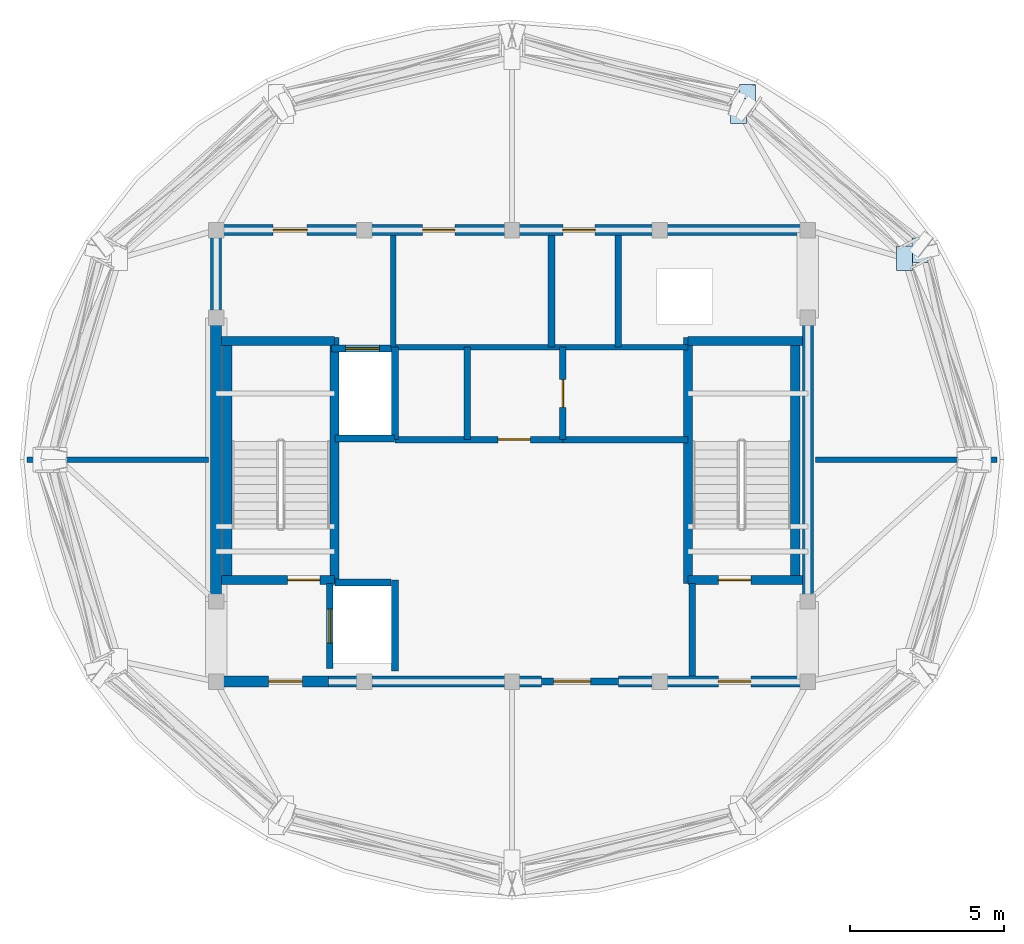
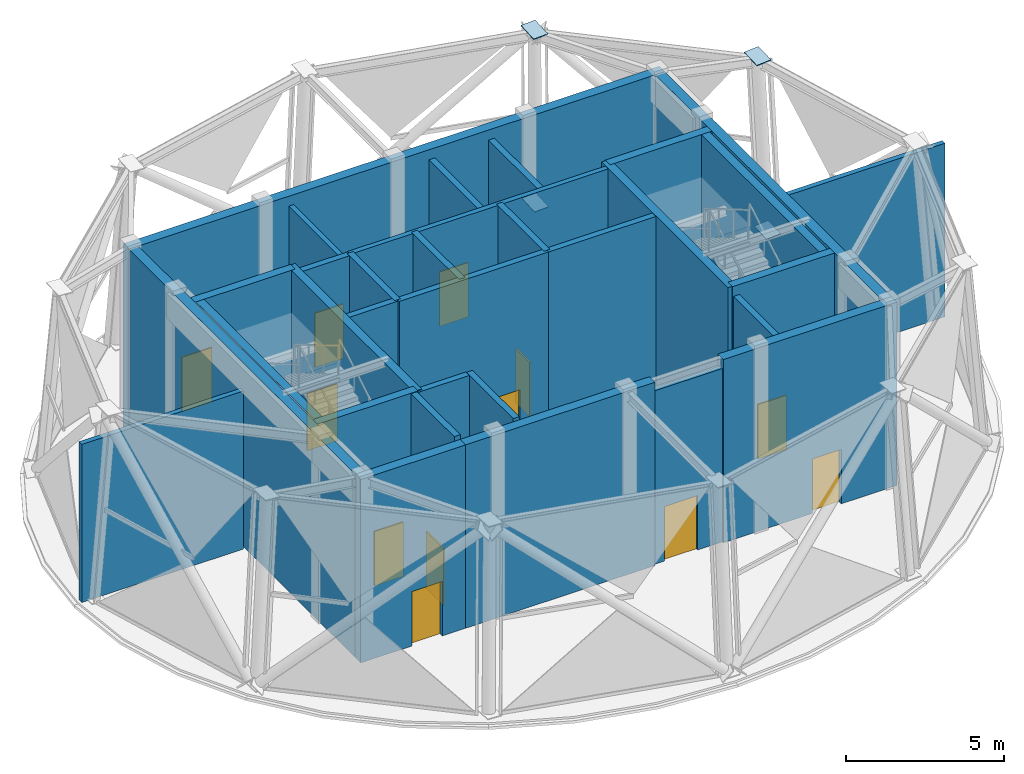
# One storey, part 5 of 8: 32 walls, 12 doors, 4 plates, 12 openings.
"""IFC4 building model written with IfcOpenShell, lengths in metres."""

from ifc_helpers import new_model, si_unit, direction, frame, frame_2d, origin, place, context, subcontext, project, spatial, polyline, rectangle, outline, extrude, material, layer, layer_set, type_object, element, fill, save


model = new_model("IFC4")

# Units and contexts
model_context = context("Model", 3, precision=1e-05, world=origin(), true_north=direction((0.0, 1.0)))
body_context = subcontext(model_context, "Body", "Model", "MODEL_VIEW")
ifc_project = project(units=[si_unit("LENGTHUNIT", "METRE"), si_unit("AREAUNIT", "SQUARE_METRE"), si_unit("VOLUMEUNIT", "CUBIC_METRE"), si_unit("PLANEANGLEUNIT", "RADIAN"), si_unit("MASSUNIT", "GRAM", prefix="KILO")], contexts=[model_context])

# Site, building, storey
site_placement = place(None, origin())
site = spatial("IfcSite", under=ifc_project, at=site_placement, CompositionType="ELEMENT")
building_placement = place(site_placement, origin())
building = spatial("IfcBuilding", under=site, at=building_placement, Name="Vantalir Tower", CompositionType="ELEMENT")
storey_placement = place(building_placement, frame((0.0, 0.0, 326.25)))
storey = spatial("IfcBuildingStorey", under=building, at=storey_placement, Name="L79", CompositionType="ELEMENT", Elevation=326.25)

# Plates
ifc_material_1 = material(Name="Steel S460", Category="steel")
ifc_layer_1 = layer(ifc_material_1, 0.031982421875)
ifc_layer_set_1 = layer_set([ifc_layer_1], Name="Steel S460")
plate_type = type_object("IfcPlateType", Name="PLT-KN-Z3", PredefinedType="USERDEFINED", material=ifc_layer_set_1)
plate_1_placement = place(storey_placement, frame((43.969970703125, 31.9326171875, 7.090087890625), z_axis=(-0.071669087608, -0.036978395719, 0.996742765277), x_axis=(1.0898769e-05, -0.999312561861, -0.037072949554)))
element("IfcPlate", 1, at=plate_1_placement, inside=storey, type_object=plate_type, Name="L79 Ring Column Top Cap RC02", ObjectType="FLANGE_PLATE", PredefinedType="USERDEFINED", context=body_context, shape_type="SweptSolid", body=[
    extrude(outline(polyline([(0.0, 0.0), (0.8001060710424334, 8.673617379884035e-19), (0.800199805423521, 0.5198828635548058), (8.468336801295941e-05, 0.5199003489607049), (0.0, 0.0)])), origin(), (0.0, 0.0, -1.0), 0.031982421875),
])
plate_2_placement = place(storey_placement, frame((44.476806640625, 32.193359375, 0.049072265625), z_axis=(-0.071626877496, -0.036984146802, 0.996745586048), x_axis=(-1.129986e-05, -0.99931229299, -0.037080196227)))
element("IfcPlate", 2, at=plate_2_placement, inside=storey, type_object=plate_type, Name="L79 Ring Column Base Cap RC02", ObjectType="FLANGE_PLATE", PredefinedType="USERDEFINED", context=body_context, shape_type="SweptSolid", body=[
    extrude(outline(polyline([(0.0, 0.0), (0.7998711501922752, 4.336808689942018e-19), (0.799944048515855, 0.5201438586805849), (-0.00016202162191883982, 0.5201257326056257), (0.0, 0.0)])), origin(), (0.0, 0.0, -1.0), 0.031982421875),
])
plate_3_placement = place(storey_placement, frame((38.59033203125, 36.71435546875, 7.10888671875), z_axis=(-0.041413511093, -0.064033180532, 0.997088096855), x_axis=(0.0, -0.997944240657, -0.064088162244)))
element("IfcPlate", 3, at=plate_3_placement, inside=storey, type_object=plate_type, Name="L79 Ring Column Top Cap RC03", ObjectType="FLANGE_PLATE", PredefinedType="USERDEFINED", context=body_context, shape_type="SweptSolid", body=[
    extrude(outline(polyline([(0.0, 0.0), (0.7999844191941299, 4.336808689942018e-19), (0.8000693574671932, 0.5199773424375382), (8.493827306336088e-05, 0.5199773424375382), (0.0, 0.0)])), origin(), (0.0, 0.0, -1.0), 0.031982421875),
])
plate_4_placement = place(storey_placement, frame((38.882080078125, 37.16650390625, 0.06787109375), z_axis=(-0.040945744704, -0.064034416075, 0.997107336022), x_axis=(0.0, -0.997944240657, -0.064088162244)))
element("IfcPlate", 4, at=plate_4_placement, inside=storey, type_object=plate_type, Name="L79 Ring Column Base Cap RC03", ObjectType="FLANGE_PLATE", PredefinedType="USERDEFINED", context=body_context, shape_type="SweptSolid", body=[
    extrude(outline(polyline([(0.0, 0.0), (0.7999844191941299, 4.336808689942018e-19), (0.8000850039911785, 0.5199673094847195), (0.00010058479704871687, 0.5199673094847194), (0.0, 0.0)])), origin(), (0.0, 0.0, -1.0), 0.031982421875),
])

# Wall, opening, door
ifc_material_2 = material(Name="Concrete C50/60", Category="concrete")
ifc_layer_2 = layer(ifc_material_2, 0.35009765625)
ifc_layer_set_2 = layer_set([ifc_layer_2], Name="Concrete C50/60")
wall_type_1 = type_object("IfcWallType", Name="WL-CORE-350", PredefinedType="SHEAR", material=ifc_layer_set_2)
wall_1_placement = place(storey_placement, frame((21.72509765625, 17.800048828125, 0.0), z_axis=(0.0, 0.0, 1.0), x_axis=(1.0, 0.0, 0.0)))
wall_1 = element("IfcWall", 5, at=wall_1_placement, inside=storey, type_object=wall_type_1, Name="L79 Core Shear Wall South-West", PredefinedType="SHEAR", context=body_context, shape_type="SweptSolid", body=[
    extrude(rectangle(XDim=3.824951171875, YDim=0.35009765625, at=frame_2d((1.91259765625, 0.0))), origin(), (0.0, 0.0, 1.0), 7.070068359375),
])
opening_1_placement = place(wall_1_placement, frame((1.875, 0.0, 0.0)))
opening_1 = element("IfcOpeningElement", 6, at=opening_1_placement, cuts=wall_1, Name="Opening D-FFL", PredefinedType="OPENING", context=body_context, shape_type="SweptSolid", body=[
    extrude(rectangle(XDim=1.10009765625, YDim=2.10009765625, at=frame_2d((0.550048828125, 1.050048828125))), frame((0.0, 0.18505859375, 0.0), z_axis=(0.0, -1.0, 0.0), x_axis=(1.0, 0.0, 0.0)), (0.0, 0.0, 1.0), 0.3701171875),
])
ifc_material_3 = material(Name="Fire-rated acoustic steel door", Category="steel")
door_type_1 = type_object("IfcDoorType", Name="DR-FIRE-LOBBY-1100", OperationType="NOTDEFINED", PredefinedType="DOOR", material=ifc_material_3)
door_1_placement = place(opening_1_placement, origin())
door_1 = element("IfcDoor", 7, at=door_1_placement, inside=storey, type_object=door_type_1, Name="L79 Firefighting Lobby West Access Door", OperationType="SINGLE_SWING_RIGHT", OverallHeight=2.10009765625, OverallWidth=1.10009765625, PredefinedType="DOOR", context=body_context, shape_type="SweptSolid", body=[
    extrude(rectangle(XDim=1.10009765625, YDim=2.10009765625, at=frame_2d((0.550048828125, 1.050048828125))), frame((0.0, 0.02490234375, 0.0), z_axis=(0.0, -1.0, 0.0), x_axis=(1.0, 0.0, 0.0)), (0.0, 0.0, 1.0), 0.050048828125),
])
fill(opening_1, door_1)

# Wall
wall_2_placement = place(storey_placement, frame((25.550048828125, 17.800048828125, 0.0), z_axis=(0.0, 0.0, 1.0), x_axis=(1.0, 0.0, 0.0)))
element("IfcWall", 8, at=wall_2_placement, inside=storey, type_object=wall_type_1, Name="L79 Core Shear Wall South-Mid", PredefinedType="SHEAR", context=body_context, shape_type="SweptSolid", body=[
    extrude(rectangle(XDim=6.89990234375, YDim=0.35009765625, at=frame_2d((3.449951171875, 0.0))), origin(), (0.0, 0.0, 1.0), 7.070068359375),
])

# Wall, opening, door
wall_3_placement = place(storey_placement, frame((34.949951171875, 17.800048828125, 0.0), z_axis=(0.0, 0.0, 1.0), x_axis=(1.0, 0.0, 0.0)))
wall_3 = element("IfcWall", 9, at=wall_3_placement, inside=storey, type_object=wall_type_1, Name="L79 Core Shear Wall South-East", PredefinedType="SHEAR", context=body_context, shape_type="SweptSolid", body=[
    extrude(rectangle(XDim=6.324951171875, YDim=0.35009765625, at=frame_2d((3.16259765625, 0.0))), origin(), (0.0, 0.0, 1.0), 7.070068359375),
])
opening_2_placement = place(wall_3_placement, frame((3.25, 0.0, 0.0)))
opening_2 = element("IfcOpeningElement", 10, at=opening_2_placement, cuts=wall_3, Name="Opening D-ST", PredefinedType="OPENING", context=body_context, shape_type="SweptSolid", body=[
    extrude(rectangle(XDim=1.050048828125, YDim=2.10009765625, at=frame_2d((0.52490234375, 1.050048828125))), frame((0.0, 0.18505859375, 0.0), z_axis=(0.0, -1.0, 0.0), x_axis=(1.0, 0.0, 0.0)), (0.0, 0.0, 1.0), 0.3701171875),
])
ifc_material_4 = material(Name="Fire-rated steel door leaf", Category="steel")
door_type_2 = type_object("IfcDoorType", Name="DR-FIRE-STAIR-1050", OperationType="NOTDEFINED", PredefinedType="DOOR", material=ifc_material_4)
door_2_placement = place(opening_2_placement, origin())
door_2 = element("IfcDoor", 11, at=door_2_placement, inside=storey, type_object=door_type_2, Name="L79 Stair ST2 Exit Lobby Door", OperationType="SINGLE_SWING_RIGHT", OverallHeight=2.10009765625, OverallWidth=1.050048828125, PredefinedType="DOOR", context=body_context, shape_type="SweptSolid", body=[
    extrude(rectangle(XDim=1.050048828125, YDim=2.10009765625, at=frame_2d((0.52490234375, 1.050048828125))), frame((0.0, 0.02490234375, 0.0), z_axis=(0.0, -1.0, 0.0), x_axis=(1.0, 0.0, 0.0)), (0.0, 0.0, 1.0), 0.050048828125),
])
fill(opening_2, door_2)

# Wall, openings, doors
wall_4_placement = place(storey_placement, frame((21.72509765625, 32.449951171875, 0.0), z_axis=(0.0, 0.0, 1.0), x_axis=(1.0, 0.0, 0.0)))
wall_4 = element("IfcWall", 12, at=wall_4_placement, inside=storey, type_object=wall_type_1, Name="L79 Core Shear Wall North", PredefinedType="SHEAR", context=body_context, shape_type="SweptSolid", body=[
    extrude(rectangle(XDim=19.5498046875, YDim=0.35009765625, at=frame_2d((9.77490234375, 0.0))), origin(), (0.0, 0.0, 1.0), 7.070068359375),
])
opening_3_placement = place(wall_4_placement, frame((2.02490234375, 0.0, 0.0)))
opening_3 = element("IfcOpeningElement", 13, at=opening_3_placement, cuts=wall_4, Name="Opening D-FFL", PredefinedType="OPENING", context=body_context, shape_type="SweptSolid", body=[
    extrude(rectangle(XDim=1.10009765625, YDim=2.10009765625, at=frame_2d((0.550048828125, 1.050048828125))), frame((0.0, 0.18505859375, 0.0), z_axis=(0.0, -1.0, 0.0), x_axis=(1.0, 0.0, 0.0)), (0.0, 0.0, 1.0), 0.3701171875),
])
opening_4_placement = place(wall_4_placement, frame((11.425048828125, 0.0, 0.0)))
opening_4 = element("IfcOpeningElement", 14, at=opening_4_placement, cuts=wall_4, Name="Opening D-ST", PredefinedType="OPENING", context=body_context, shape_type="SweptSolid", body=[
    extrude(rectangle(XDim=1.050048828125, YDim=2.10009765625, at=frame_2d((0.52490234375, 1.050048828125))), frame((0.0, 0.18505859375, 0.0), z_axis=(0.0, -1.0, 0.0), x_axis=(1.0, 0.0, 0.0)), (0.0, 0.0, 1.0), 0.3701171875),
])
opening_5_placement = place(wall_4_placement, frame((6.875, 0.0, 0.0)))
opening_5 = element("IfcOpeningElement", 15, at=opening_5_placement, cuts=wall_4, Name="Opening D-ST", PredefinedType="OPENING", context=body_context, shape_type="SweptSolid", body=[
    extrude(rectangle(XDim=1.050048828125, YDim=2.10009765625, at=frame_2d((0.52490234375, 1.050048828125))), frame((0.0, 0.18505859375, 0.0), z_axis=(0.0, -1.0, 0.0), x_axis=(1.0, 0.0, 0.0)), (0.0, 0.0, 1.0), 0.3701171875),
])
door_3_placement = place(opening_3_placement, frame((1.10009765625, 0.0, 0.0), z_axis=(0.0, 0.0, 1.0), x_axis=(-1.0, 0.0, 0.0)))
door_3 = element("IfcDoor", 16, at=door_3_placement, inside=storey, type_object=door_type_1, Name="L79 Firefighting Lobby East Access Door", OperationType="SINGLE_SWING_LEFT", OverallHeight=2.10009765625, OverallWidth=1.10009765625, PredefinedType="DOOR", context=body_context, shape_type="SweptSolid", body=[
    extrude(rectangle(XDim=1.10009765625, YDim=2.10009765625, at=frame_2d((0.550048828125, 1.050048828125))), frame((0.0, 0.02490234375, 0.0), z_axis=(0.0, -1.0, 0.0), x_axis=(1.0, 0.0, 0.0)), (0.0, 0.0, 1.0), 0.050048828125),
])
fill(opening_3, door_3)
door_4_placement = place(opening_4_placement, frame((1.050048828125, 0.0, 0.0), z_axis=(0.0, 0.0, 1.0), x_axis=(-1.0, 0.0, 0.0)))
door_4 = element("IfcDoor", 17, at=door_4_placement, inside=storey, type_object=door_type_2, Name="L79 North Crown Passage Link Door", OperationType="SINGLE_SWING_RIGHT", OverallHeight=2.10009765625, OverallWidth=1.050048828125, PredefinedType="DOOR", context=body_context, shape_type="SweptSolid", body=[
    extrude(rectangle(XDim=1.050048828125, YDim=2.10009765625, at=frame_2d((0.52490234375, 1.050048828125))), frame((0.0, 0.02490234375, 0.0), z_axis=(0.0, -1.0, 0.0), x_axis=(1.0, 0.0, 0.0)), (0.0, 0.0, 1.0), 0.050048828125),
])
fill(opening_4, door_4)
door_5_placement = place(opening_5_placement, frame((1.050048828125, 0.0, 0.0), z_axis=(0.0, 0.0, 1.0), x_axis=(-1.0, 0.0, 0.0)))
door_5 = element("IfcDoor", 18, at=door_5_placement, inside=storey, type_object=door_type_2, Name="L79 Crown Telemetry Plant Door", OperationType="SINGLE_SWING_LEFT", OverallHeight=2.10009765625, OverallWidth=1.050048828125, PredefinedType="DOOR", context=body_context, shape_type="SweptSolid", body=[
    extrude(rectangle(XDim=1.050048828125, YDim=2.10009765625, at=frame_2d((0.52490234375, 1.050048828125))), frame((0.0, 0.02490234375, 0.0), z_axis=(0.0, -1.0, 0.0), x_axis=(1.0, 0.0, 0.0)), (0.0, 0.0, 1.0), 0.050048828125),
])
fill(opening_5, door_5)

# Walls
for number, where, z_axis, x_axis, name in (
    (19, (21.89990234375, 17.97509765625, 0.0), (0.0, 0.0, 1.0), (0.0, 1.0, 0.0), "L79 Core Shear Wall West"),
    (20, (41.10009765625, 17.97509765625, 0.0), (0.0, 0.0, 1.0), (0.0, 1.0, 0.0), "L79 Core Shear Wall East"),
):
    element("IfcWall", number, at=place(storey_placement, frame(where, z_axis=z_axis, x_axis=x_axis)), inside=storey, type_object=wall_type_1, Name=name, PredefinedType="SHEAR", context=body_context, shape_type="SweptSolid", body=[
        extrude(rectangle(XDim=14.2998046875, YDim=0.35009765625, at=frame_2d((7.14990234375, 0.0))), origin(), (0.0, 0.0, 1.0), 7.070068359375),
    ])
ifc_material_5 = material(Name="Concrete blockwork with fireboard lining", Category="masonry")
ifc_layer_3 = layer(ifc_material_5, 0.219970703125)
ifc_layer_set_3 = layer_set([ifc_layer_3], Name="Concrete blockwork with fireboard lining")
wall_type_2 = type_object("IfcWallType", Name="WL-FFL-220", PredefinedType="PARTITIONING", material=ifc_layer_set_3)
wall_5_placement = place(storey_placement, frame((25.75, 21.02001953125, 0.0), z_axis=(0.0, 0.0, 1.0), x_axis=(1.0, 0.0, 0.0)))
element("IfcWall", 21, at=wall_5_placement, inside=storey, type_object=wall_type_2, Name="L79 Fire Lift FL1 Crown North Shaft Wall", PredefinedType="PARTITIONING", context=body_context, shape_type="SweptSolid", body=[
    extrude(rectangle(XDim=1.830078125, YDim=0.219970703125, at=frame_2d((0.9150390625, 0.0))), origin(), (0.0, 0.0, 1.0), 7.044921875),
])
wall_6_placement = place(storey_placement, frame((25.75, 25.68994140625, 0.0), z_axis=(0.0, 0.0, 1.0), x_axis=(1.0, 0.0, 0.0)))
element("IfcWall", 22, at=wall_6_placement, inside=storey, type_object=wall_type_2, Name="L79 Fire Lift FL2 Crown South Shaft Wall", PredefinedType="PARTITIONING", context=body_context, shape_type="SweptSolid", body=[
    extrude(rectangle(XDim=1.929931640625, YDim=0.219970703125, at=frame_2d((0.96484375, 0.0))), origin(), (0.0, 0.0, 1.0), 7.044921875),
])

# Wall, opening, door
wall_7_placement = place(storey_placement, frame((32.449951171875, 17.800048828125, 0.0), z_axis=(0.0, 0.0, 1.0), x_axis=(1.0, 0.0, 0.0)))
wall_7 = element("IfcWall", 23, at=wall_7_placement, inside=storey, type_object=wall_type_2, Name="L79 Passenger Lift Lobby South Wall", PredefinedType="PARTITIONING", context=body_context, shape_type="SweptSolid", body=[
    extrude(rectangle(XDim=2.5, YDim=0.219970703125, at=frame_2d((1.25, 0.0))), origin(), (0.0, 0.0, 1.0), 6.68701171875),
])
opening_6_placement = place(wall_7_placement, frame((0.39990234375, 0.0, 0.0)))
opening_6 = element("IfcOpeningElement", 24, at=opening_6_placement, cuts=wall_7, Name="Opening D-STE", PredefinedType="OPENING", context=body_context, shape_type="SweptSolid", body=[
    extrude(rectangle(XDim=1.199951171875, YDim=2.10009765625, at=frame_2d((0.60009765625, 1.050048828125))), frame((0.0, 0.119873046875, 0.0), z_axis=(0.0, -1.0, 0.0), x_axis=(1.0, 0.0, 0.0)), (0.0, 0.0, 1.0), 0.239990234375),
])
ifc_material_6 = material(Name="Solid-core teak veneer suite entrance door", Category="wood")
door_type_3 = type_object("IfcDoorType", Name="DR-SUITE-ENTRY-1200", OperationType="NOTDEFINED", PredefinedType="DOOR", material=ifc_material_6)
door_6_placement = place(opening_6_placement, origin())
door_6 = element("IfcDoor", 25, at=door_6_placement, inside=storey, type_object=door_type_3, Name="L79 Passenger Lift Lobby Concourse Door", OperationType="SINGLE_SWING_RIGHT", OverallHeight=2.10009765625, OverallWidth=1.199951171875, PredefinedType="DOOR", context=body_context, shape_type="SweptSolid", body=[
    extrude(rectangle(XDim=1.199951171875, YDim=2.10009765625, at=frame_2d((0.60009765625, 1.050048828125))), frame((0.0, 0.02490234375, 0.0), z_axis=(0.0, -1.0, 0.0), x_axis=(1.0, 0.0, 0.0)), (0.0, 0.0, 1.0), 0.050048828125),
])
fill(opening_6, door_6)

# Wall
wall_8_placement = place(storey_placement, frame((37.35009765625, 17.97509765625, 0.0), z_axis=(0.0, 0.0, 1.0), x_axis=(0.0, 1.0, 0.0)))
element("IfcWall", 26, at=wall_8_placement, inside=storey, type_object=wall_type_2, Name="L79 ST2 Exit Lobby West Wall", PredefinedType="PARTITIONING", context=body_context, shape_type="SweptSolid", body=[
    extrude(rectangle(XDim=3.0048828125, YDim=0.219970703125, at=frame_2d((1.50244140625, 0.0))), origin(), (0.0, 0.0, 1.0), 6.68701171875),
])

# Wall, opening, door
wall_9_placement = place(storey_placement, frame((25.590087890625, 18.219970703125, 0.0), z_axis=(0.0, 0.0, 1.0), x_axis=(0.0, 1.0, 0.0)))
wall_9 = element("IfcWall", 27, at=wall_9_placement, inside=storey, type_object=wall_type_2, Name="L79 Lift FL1 Shaft Front Wall", PredefinedType="PARTITIONING", context=body_context, shape_type="SweptSolid", body=[
    extrude(rectangle(XDim=2.760009765625, YDim=0.219970703125, at=frame_2d((1.3798828125, 0.0))), origin(), (0.0, 0.0, 1.0), 7.050048828125),
])
opening_7_placement = place(wall_9_placement, frame((0.830078125, 0.0, 0.0)))
opening_7 = element("IfcOpeningElement", 28, at=opening_7_placement, cuts=wall_9, Name="Opening LD-FL1", PredefinedType="OPENING", context=body_context, shape_type="SweptSolid", body=[
    extrude(rectangle(XDim=1.10009765625, YDim=2.199951171875, at=frame_2d((0.550048828125, 1.10009765625))), frame((0.0, 0.119873046875, 0.0), z_axis=(0.0, -1.0, 0.0), x_axis=(1.0, 0.0, 0.0)), (0.0, 0.0, 1.0), 0.239990234375),
])
ifc_material_7 = material(Name="Brushed stainless-steel sliding lift landing door", Category="steel")
door_type_4 = type_object("IfcDoorType", Name="DR-LIFT-LANDING-1100", OperationType="DOUBLE_DOOR_SLIDING", PredefinedType="DOOR", material=ifc_material_7)
door_7_placement = place(opening_7_placement, origin())
door_7 = element("IfcDoor", 29, at=door_7_placement, inside=storey, type_object=door_type_4, Name="L79 Lift Landing Door FL1", OperationType="DOUBLE_DOOR_SLIDING", OverallHeight=2.199951171875, OverallWidth=1.10009765625, PredefinedType="DOOR", context=body_context, shape_type="SweptSolid", body=[
    extrude(rectangle(XDim=1.10009765625, YDim=2.199951171875, at=frame_2d((0.550048828125, 1.10009765625))), frame((0.0, 0.02490234375, 0.0), z_axis=(0.0, -1.0, 0.0), x_axis=(1.0, 0.0, 0.0)), (0.0, 0.0, 1.0), 0.050048828125),
])
fill(opening_7, door_7)

wall_10_placement = place(storey_placement, frame((25.639892578125, 28.610107421875, 0.0), z_axis=(0.0, 0.0, 1.0), x_axis=(1.0, 0.0, 0.0)))
wall_10 = element("IfcWall", 30, at=wall_10_placement, inside=storey, type_object=wall_type_2, Name="L79 Lift FL2 Shaft Front Wall", PredefinedType="PARTITIONING", context=body_context, shape_type="SweptSolid", body=[
    extrude(rectangle(XDim=2.02001953125, YDim=0.219970703125, at=frame_2d((1.010009765625, 0.0))), origin(), (0.0, 0.0, 1.0), 7.050048828125),
])
opening_8_placement = place(wall_10_placement, frame((0.4599609375, 0.0, 0.0)))
opening_8 = element("IfcOpeningElement", 31, at=opening_8_placement, cuts=wall_10, Name="Opening LD-FL2", PredefinedType="OPENING", context=body_context, shape_type="SweptSolid", body=[
    extrude(rectangle(XDim=1.10009765625, YDim=2.199951171875, at=frame_2d((0.550048828125, 1.10009765625))), frame((0.0, 0.119873046875, 0.0), z_axis=(0.0, -1.0, 0.0), x_axis=(1.0, 0.0, 0.0)), (0.0, 0.0, 1.0), 0.239990234375),
])
door_8_placement = place(opening_8_placement, origin())
door_8 = element("IfcDoor", 32, at=door_8_placement, inside=storey, type_object=door_type_4, Name="L79 Lift Landing Door FL2", OperationType="DOUBLE_DOOR_SLIDING", OverallHeight=2.199951171875, OverallWidth=1.10009765625, PredefinedType="DOOR", context=body_context, shape_type="SweptSolid", body=[
    extrude(rectangle(XDim=1.10009765625, YDim=2.199951171875, at=frame_2d((0.550048828125, 1.10009765625))), frame((0.0, 0.02490234375, 0.0), z_axis=(0.0, -1.0, 0.0), x_axis=(1.0, 0.0, 0.0)), (0.0, 0.0, 1.0), 0.050048828125),
])
fill(opening_8, door_8)

# Walls
wall_11_placement = place(storey_placement, frame((27.699951171875, 18.14990234375, 0.0), z_axis=(0.0, 0.0, 1.0), x_axis=(0.0, 1.0, 0.0)))
element("IfcWall", 33, at=wall_11_placement, inside=storey, type_object=wall_type_2, Name="L79 Fire Lift FL1 Dividing Wall", PredefinedType="PARTITIONING", context=body_context, shape_type="SweptSolid", body=[
    extrude(rectangle(XDim=2.9501953125, YDim=0.219970703125, at=frame_2d((1.47509765625, 0.0))), origin(), (0.0, 0.0, 1.0), 7.050048828125),
])
wall_12_placement = place(storey_placement, frame((27.699951171875, 25.64990234375, 0.0), z_axis=(0.0, 0.0, 1.0), x_axis=(0.0, 1.0, 0.0)))
element("IfcWall", 34, at=wall_12_placement, inside=storey, type_object=wall_type_2, Name="L79 Fire Lift FL2 Dividing Wall", PredefinedType="PARTITIONING", context=body_context, shape_type="SweptSolid", body=[
    extrude(rectangle(XDim=3.0, YDim=0.219970703125, at=frame_2d((1.5, 0.0))), origin(), (0.0, 0.0, 1.0), 7.050048828125),
])
wall_13_placement = place(storey_placement, frame((32.780029296875, 28.64990234375, 0.0), z_axis=(0.0, 0.0, 1.0), x_axis=(0.0, 1.0, 0.0)))
element("IfcWall", 35, at=wall_13_placement, inside=storey, type_object=wall_type_2, Name="L79 Core Plant Link West Wall", PredefinedType="PARTITIONING", context=body_context, shape_type="SweptSolid", body=[
    extrude(rectangle(XDim=3.625, YDim=0.219970703125, at=frame_2d((1.8125, 0.0))), origin(), (0.0, 0.0, 1.0), 6.68701171875),
])
wall_14_placement = place(storey_placement, frame((30.050048828125, 25.64990234375, 0.0), z_axis=(0.0, 0.0, 1.0), x_axis=(0.0, 1.0, 0.0)))
element("IfcWall", 36, at=wall_14_placement, inside=storey, type_object=wall_type_2, Name="L79 Core Plant Lower West Wall", PredefinedType="PARTITIONING", context=body_context, shape_type="SweptSolid", body=[
    extrude(rectangle(XDim=3.0, YDim=0.219970703125, at=frame_2d((1.5, 0.0))), origin(), (0.0, 0.0, 1.0), 7.050048828125),
])

# Wall, opening, door
wall_15_placement = place(storey_placement, frame((27.699951171875, 25.64990234375, 0.0), z_axis=(0.0, 0.0, 1.0), x_axis=(1.0, 0.0, 0.0)))
wall_15 = element("IfcWall", 37, at=wall_15_placement, inside=storey, type_object=wall_type_2, Name="L79 Core Plant South Lobby Wall", PredefinedType="PARTITIONING", context=body_context, shape_type="SweptSolid", body=[
    extrude(rectangle(XDim=5.449951171875, YDim=0.219970703125, at=frame_2d((2.72509765625, 0.0))), origin(), (0.0, 0.0, 1.0), 7.050048828125),
])
opening_9_placement = place(wall_15_placement, frame((3.35009765625, 0.0, 0.0)))
opening_9 = element("IfcOpeningElement", 38, at=opening_9_placement, cuts=wall_15, Name="Opening D-ST", PredefinedType="OPENING", context=body_context, shape_type="SweptSolid", body=[
    extrude(rectangle(XDim=1.050048828125, YDim=2.10009765625, at=frame_2d((0.52490234375, 1.050048828125))), frame((0.0, 0.119873046875, 0.0), z_axis=(0.0, -1.0, 0.0), x_axis=(1.0, 0.0, 0.0)), (0.0, 0.0, 1.0), 0.239990234375),
])
door_9_placement = place(opening_9_placement, frame((1.050048828125, 0.0, 0.0), z_axis=(0.0, 0.0, 1.0), x_axis=(-1.0, 0.0, 0.0)))
door_9 = element("IfcDoor", 39, at=door_9_placement, inside=storey, type_object=door_type_2, Name="L79 Core Plant Passage Lobby Door", OperationType="SINGLE_SWING_LEFT", OverallHeight=2.10009765625, OverallWidth=1.050048828125, PredefinedType="DOOR", context=body_context, shape_type="SweptSolid", body=[
    extrude(rectangle(XDim=1.050048828125, YDim=2.10009765625, at=frame_2d((0.52490234375, 1.050048828125))), frame((0.0, 0.02490234375, 0.0), z_axis=(0.0, -1.0, 0.0), x_axis=(1.0, 0.0, 0.0)), (0.0, 0.0, 1.0), 0.050048828125),
])
fill(opening_9, door_9)

wall_16_placement = place(storey_placement, frame((33.14990234375, 25.64990234375, 0.0), z_axis=(0.0, 0.0, 1.0), x_axis=(0.0, 1.0, 0.0)))
wall_16 = element("IfcWall", 40, at=wall_16_placement, inside=storey, type_object=wall_type_2, Name="L79 Crown Emergency Switchroom West Wall", PredefinedType="PARTITIONING", context=body_context, shape_type="SweptSolid", body=[
    extrude(rectangle(XDim=3.0, YDim=0.219970703125, at=frame_2d((1.5, 0.0))), origin(), (0.0, 0.0, 1.0), 7.050048828125),
])
opening_10_placement = place(wall_16_placement, frame((1.050048828125, 0.0, 0.0)))
opening_10 = element("IfcOpeningElement", 41, at=opening_10_placement, cuts=wall_16, Name="Opening D-CR", PredefinedType="OPENING", context=body_context, shape_type="SweptSolid", body=[
    extrude(rectangle(XDim=0.89990234375, YDim=2.10009765625, at=frame_2d((0.449951171875, 1.050048828125))), frame((0.0, 0.119873046875, 0.0), z_axis=(0.0, -1.0, 0.0), x_axis=(1.0, 0.0, 0.0)), (0.0, 0.0, 1.0), 0.239990234375),
])
ifc_material_8 = material(Name="Fire-rated steel core service door", Category="steel")
door_type_5 = type_object("IfcDoorType", Name="DR-CORE-SERV-900", OperationType="NOTDEFINED", PredefinedType="DOOR", material=ifc_material_8)
door_10_placement = place(opening_10_placement, frame((0.89990234375, 0.0, 0.0), z_axis=(0.0, 0.0, 1.0), x_axis=(-1.0, 0.0, 0.0)))
door_10 = element("IfcDoor", 42, at=door_10_placement, inside=storey, type_object=door_type_5, Name="L79 Crown Emergency Switchroom Door", OperationType="SINGLE_SWING_RIGHT", OverallHeight=2.10009765625, OverallWidth=0.89990234375, PredefinedType="DOOR", context=body_context, shape_type="SweptSolid", body=[
    extrude(rectangle(XDim=0.89990234375, YDim=2.10009765625, at=frame_2d((0.449951171875, 1.050048828125))), frame((0.0, 0.02490234375, 0.0), z_axis=(0.0, -1.0, 0.0), x_axis=(1.0, 0.0, 0.0)), (0.0, 0.0, 1.0), 0.050048828125),
])
fill(opening_10, door_10)

# Walls
wall_17_placement = place(storey_placement, frame((33.14990234375, 25.64990234375, 0.0), z_axis=(0.0, 0.0, 1.0), x_axis=(1.0, 0.0, 0.0)))
element("IfcWall", 43, at=wall_17_placement, inside=storey, type_object=wall_type_2, Name="L79 Crown Emergency Switchroom South Wall", PredefinedType="PARTITIONING", context=body_context, shape_type="SweptSolid", body=[
    extrude(rectangle(XDim=4.06005859375, YDim=0.219970703125, at=frame_2d((2.030029296875, 0.0))), origin(), (0.0, 0.0, 1.0), 7.050048828125),
])
wall_18_placement = place(storey_placement, frame((34.949951171875, 28.64990234375, 0.0), z_axis=(0.0, 0.0, 1.0), x_axis=(0.0, 1.0, 0.0)))
element("IfcWall", 44, at=wall_18_placement, inside=storey, type_object=wall_type_2, Name="L79 Core Plant Link East Wall", PredefinedType="PARTITIONING", context=body_context, shape_type="SweptSolid", body=[
    extrude(rectangle(XDim=3.625, YDim=0.219970703125, at=frame_2d((1.8125, 0.0))), origin(), (0.0, 0.0, 1.0), 6.68701171875),
])
ifc_material_9 = material(Name="Twin-stud acoustic fire-rated gypsum partition", Category="gypsum")
ifc_layer_4 = layer(ifc_material_9, 0.179931640625)
ifc_layer_set_4 = layer_set([ifc_layer_4], Name="Twin-stud acoustic fire-rated gypsum partition")
wall_type_3 = type_object("IfcWallType", Name="WL-GUEST-180", PredefinedType="PARTITIONING", material=ifc_layer_set_4)
wall_19_placement = place(storey_placement, frame((27.64990234375, 28.64990234375, 0.0), z_axis=(0.0, 0.0, 1.0), x_axis=(1.0, 0.0, 0.0)))
element("IfcWall", 45, at=wall_19_placement, inside=storey, type_object=wall_type_3, Name="L79 Crown Core North Plant South Wall", PredefinedType="PARTITIONING", context=body_context, shape_type="SweptSolid", body=[
    extrude(rectangle(XDim=9.56005859375, YDim=0.179931640625, at=frame_2d((4.780029296875, 0.0))), origin(), (0.0, 0.0, 1.0), 7.050048828125),
])
wall_20_placement = place(storey_placement, frame((27.64990234375, 28.64990234375, 0.0), z_axis=(0.0, 0.0, 1.0), x_axis=(0.0, 1.0, 0.0)))
element("IfcWall", 46, at=wall_20_placement, inside=storey, type_object=wall_type_3, Name="L79 Crown Core North Plant West Wall", PredefinedType="PARTITIONING", context=body_context, shape_type="SweptSolid", body=[
    extrude(rectangle(XDim=3.625, YDim=0.179931640625, at=frame_2d((1.8125, 0.0))), origin(), (0.0, 0.0, 1.0), 6.68701171875),
])
wall_21_placement = place(storey_placement, frame((41.35009765625, 25.0, 0.0), z_axis=(0.0, 0.0, 1.0), x_axis=(1.0, 0.0, 0.0)))
element("IfcWall", 47, at=wall_21_placement, inside=storey, type_object=wall_type_3, Name="L79 Radial Suite Partition 01", PredefinedType="PARTITIONING", context=body_context, shape_type="SweptSolid", body=[
    extrude(rectangle(XDim=5.886962890625, YDim=0.179931640625, at=frame_2d((2.943359375, 0.0))), origin(), (0.0, 0.0, 1.0), 6.68701171875),
])
wall_22_placement = place(storey_placement, frame((21.64990234375, 25.0, 0.0), z_axis=(0.0, 0.0, 1.0), x_axis=(-1.0, 0.0, 0.0)))
element("IfcWall", 48, at=wall_22_placement, inside=storey, type_object=wall_type_3, Name="L79 Radial Suite Partition 02", PredefinedType="PARTITIONING", context=body_context, shape_type="SweptSolid", body=[
    extrude(rectangle(XDim=5.886962890625, YDim=0.179931640625, at=frame_2d((2.943359375, 0.0))), origin(), (0.0, 0.0, 1.0), 6.094970703125),
])

# Wall, opening, door
ifc_layer_5 = layer(ifc_material_2, 0.300048828125)
ifc_layer_set_5 = layer_set([ifc_layer_5], Name="Concrete C50/60")
wall_type_4 = type_object("IfcWallType", Name="WL-STAIR-300", PredefinedType="SHEAR", material=ifc_layer_set_5)
wall_23_placement = place(storey_placement, frame((22.074951171875, 21.10009765625, 0.0), z_axis=(0.0, 0.0, 1.0), x_axis=(1.0, 0.0, 0.0)))
wall_23 = element("IfcWall", 49, at=wall_23_placement, inside=storey, type_object=wall_type_4, Name="L79 Stair ST1 South Wall", PredefinedType="SHEAR", context=body_context, shape_type="SweptSolid", body=[
    extrude(rectangle(XDim=3.6650390625, YDim=0.300048828125, at=frame_2d((1.83251953125, 0.0))), origin(), (0.0, 0.0, 1.0), 7.070068359375),
])
opening_11_placement = place(wall_23_placement, frame((2.14501953125, 0.0, 0.0)))
opening_11 = element("IfcOpeningElement", 50, at=opening_11_placement, cuts=wall_23, Name="Opening D-ST", PredefinedType="OPENING", context=body_context, shape_type="SweptSolid", body=[
    extrude(rectangle(XDim=1.050048828125, YDim=2.10009765625, at=frame_2d((0.52490234375, 1.050048828125))), frame((0.0, 0.159912109375, 0.0), z_axis=(0.0, -1.0, 0.0), x_axis=(1.0, 0.0, 0.0)), (0.0, 0.0, 1.0), 0.320068359375),
])
door_11_placement = place(opening_11_placement, origin())
door_11 = element("IfcDoor", 51, at=door_11_placement, inside=storey, type_object=door_type_2, Name="L79 Exit Stair ST1 Fire Door", OperationType="SINGLE_SWING_RIGHT", OverallHeight=2.10009765625, OverallWidth=1.050048828125, PredefinedType="DOOR", context=body_context, shape_type="SweptSolid", body=[
    extrude(rectangle(XDim=1.050048828125, YDim=2.10009765625, at=frame_2d((0.52490234375, 1.050048828125))), frame((0.0, 0.02490234375, 0.0), z_axis=(0.0, -1.0, 0.0), x_axis=(1.0, 0.0, 0.0)), (0.0, 0.0, 1.0), 0.050048828125),
])
fill(opening_11, door_11)

# Walls
wall_24_placement = place(storey_placement, frame((22.074951171875, 28.85009765625, 0.0), z_axis=(0.0, 0.0, 1.0), x_axis=(1.0, 0.0, 0.0)))
element("IfcWall", 52, at=wall_24_placement, inside=storey, type_object=wall_type_4, Name="L79 Stair ST1 North Wall", PredefinedType="SHEAR", context=body_context, shape_type="SweptSolid", body=[
    extrude(rectangle(XDim=3.6650390625, YDim=0.300048828125, at=frame_2d((1.83251953125, 0.0))), origin(), (0.0, 0.0, 1.0), 7.070068359375),
])
wall_25_placement = place(storey_placement, frame((25.739990234375, 20.97998046875, 0.0), z_axis=(0.0, 0.0, 1.0), x_axis=(0.0, 1.0, 0.0)))
element("IfcWall", 53, at=wall_25_placement, inside=storey, type_object=wall_type_4, Name="L79 Stair ST1 East Wall", PredefinedType="SHEAR", context=body_context, shape_type="SweptSolid", body=[
    extrude(rectangle(XDim=7.989990234375, YDim=0.300048828125, at=frame_2d((3.9951171875, 0.0))), origin(), (0.0, 0.0, 1.0), 7.070068359375),
])
wall_26_placement = place(storey_placement, frame((22.260009765625, 21.10009765625, 0.0), z_axis=(0.0, 0.0, 1.0), x_axis=(0.0, 1.0, 0.0)))
element("IfcWall", 54, at=wall_26_placement, inside=storey, type_object=wall_type_4, Name="L79 Stair ST1 West Liner Wall", PredefinedType="SHEAR", context=body_context, shape_type="SweptSolid", body=[
    extrude(rectangle(XDim=7.75, YDim=0.300048828125, at=frame_2d((3.875, 0.0))), origin(), (0.0, 0.0, 1.0), 7.070068359375),
])

# Wall, opening, door
wall_27_placement = place(storey_placement, frame((37.2099609375, 21.10009765625, 0.0), z_axis=(0.0, 0.0, 1.0), x_axis=(1.0, 0.0, 0.0)))
wall_27 = element("IfcWall", 55, at=wall_27_placement, inside=storey, type_object=wall_type_4, Name="L79 Stair ST2 South Wall", PredefinedType="SHEAR", context=body_context, shape_type="SweptSolid", body=[
    extrude(rectangle(XDim=3.715087890625, YDim=0.300048828125, at=frame_2d((1.857421875, 0.0))), origin(), (0.0, 0.0, 1.0), 7.070068359375),
])
opening_12_placement = place(wall_27_placement, frame((0.989990234375, 0.0, 0.0)))
opening_12 = element("IfcOpeningElement", 56, at=opening_12_placement, cuts=wall_27, Name="Opening D-ST", PredefinedType="OPENING", context=body_context, shape_type="SweptSolid", body=[
    extrude(rectangle(XDim=1.050048828125, YDim=2.10009765625, at=frame_2d((0.52490234375, 1.050048828125))), frame((0.0, 0.159912109375, 0.0), z_axis=(0.0, -1.0, 0.0), x_axis=(1.0, 0.0, 0.0)), (0.0, 0.0, 1.0), 0.320068359375),
])
door_12_placement = place(opening_12_placement, origin())
door_12 = element("IfcDoor", 57, at=door_12_placement, inside=storey, type_object=door_type_2, Name="L79 Exit Stair ST2 Fire Door", OperationType="SINGLE_SWING_RIGHT", OverallHeight=2.10009765625, OverallWidth=1.050048828125, PredefinedType="DOOR", context=body_context, shape_type="SweptSolid", body=[
    extrude(rectangle(XDim=1.050048828125, YDim=2.10009765625, at=frame_2d((0.52490234375, 1.050048828125))), frame((0.0, 0.02490234375, 0.0), z_axis=(0.0, -1.0, 0.0), x_axis=(1.0, 0.0, 0.0)), (0.0, 0.0, 1.0), 0.050048828125),
])
fill(opening_12, door_12)

# Walls
wall_28_placement = place(storey_placement, frame((37.2099609375, 28.85009765625, 0.0), z_axis=(0.0, 0.0, 1.0), x_axis=(1.0, 0.0, 0.0)))
element("IfcWall", 58, at=wall_28_placement, inside=storey, type_object=wall_type_4, Name="L79 Stair ST2 North Wall", PredefinedType="SHEAR", context=body_context, shape_type="SweptSolid", body=[
    extrude(rectangle(XDim=3.715087890625, YDim=0.300048828125, at=frame_2d((1.857421875, 0.0))), origin(), (0.0, 0.0, 1.0), 7.070068359375),
])
wall_29_placement = place(storey_placement, frame((37.2099609375, 20.97998046875, 0.0), z_axis=(0.0, 0.0, 1.0), x_axis=(0.0, 1.0, 0.0)))
element("IfcWall", 59, at=wall_29_placement, inside=storey, type_object=wall_type_4, Name="L79 Stair ST2 West Wall", PredefinedType="SHEAR", context=body_context, shape_type="SweptSolid", body=[
    extrude(rectangle(XDim=7.989990234375, YDim=0.300048828125, at=frame_2d((3.9951171875, 0.0))), origin(), (0.0, 0.0, 1.0), 7.070068359375),
])
wall_30_placement = place(storey_placement, frame((40.68994140625, 21.10009765625, 0.0), z_axis=(0.0, 0.0, 1.0), x_axis=(0.0, 1.0, 0.0)))
element("IfcWall", 60, at=wall_30_placement, inside=storey, type_object=wall_type_4, Name="L79 Stair ST2 East Liner Wall", PredefinedType="SHEAR", context=body_context, shape_type="SweptSolid", body=[
    extrude(rectangle(XDim=7.75, YDim=0.300048828125, at=frame_2d((3.875, 0.0))), origin(), (0.0, 0.0, 1.0), 7.070068359375),
])

save(model, "model.ifc")
